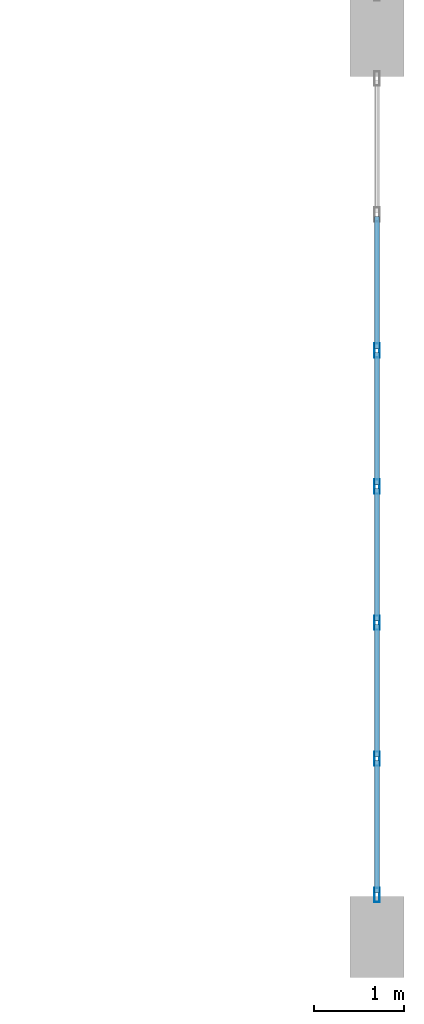
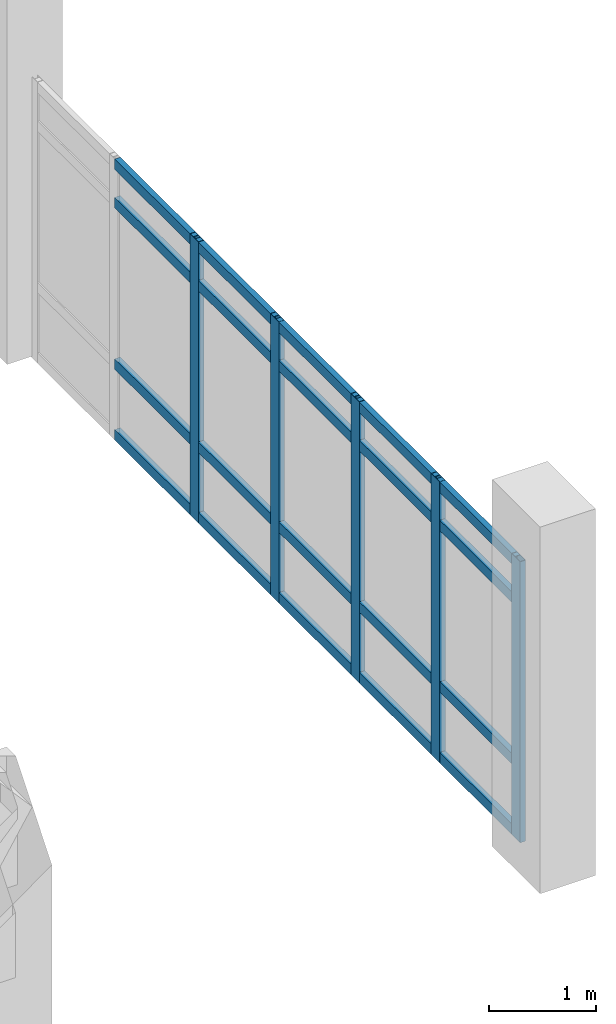
# One storey, part 70 of 111: 25 members, 1 element without a shape of its own.
"""IFC4 building model written with IfcOpenShell, lengths in metres."""

from ifc_helpers import new_model, si_unit, direction, frame, origin, origin_2d, place, context, subcontext, project, spatial, hollow_rectangle, extrude, material, layer, layer_set, material_profile, profile_set, type_object, element, aggregate, save


model = new_model("IFC4")

# Units and contexts
model_context = context("Model", 3, precision=1e-05, world=origin(), true_north=direction((0.0, 1.0)))
body_context = subcontext(model_context, "Body", "Model", "MODEL_VIEW")
ifc_project = project(units=[si_unit("LENGTHUNIT", "METRE"), si_unit("AREAUNIT", "SQUARE_METRE"), si_unit("VOLUMEUNIT", "CUBIC_METRE"), si_unit("PLANEANGLEUNIT", "RADIAN"), si_unit("MASSUNIT", "GRAM", prefix="KILO")], contexts=[model_context])

# Site, building, storey
site_placement = place(None, origin())
site = spatial("IfcSite", under=ifc_project, at=site_placement, CompositionType="ELEMENT")
building_placement = place(site_placement, origin())
building = spatial("IfcBuilding", under=site, at=building_placement, Name="Mersad Railyard Sports Hall", CompositionType="ELEMENT")
storey_placement = place(building_placement, frame((0.0, 0.0, 9.0)))
storey = spatial("IfcBuildingStorey", under=building, at=storey_placement, Name="L02", CompositionType="ELEMENT", Elevation=9.0)

# Curtain wall, members
ifc_material = material(Name="Aluminium 6063-T6", Category="aluminium")
ifc_layer = layer(ifc_material, 0.159912109375)
ifc_layer_set = layer_set([ifc_layer], Name="Aluminium 6063-T6")
curtain_wall_type = type_object("IfcCurtainWallType", Name="ARC-CW-CW15", PredefinedType="USERDEFINED", material=ifc_layer_set)
curtain_wall_placement = place(storey_placement, origin())
curtain_wall = element("IfcCurtainWall", 1, at=curtain_wall_placement, inside=storey, type_object=curtain_wall_type, Name="Curtain wall CW15-0045", ObjectType="CURTAIN WALL", PredefinedType="USERDEFINED")
ifc_material_profile_1 = material_profile(ifc_material, hollow_rectangle(XDim=0.06005859375, YDim=0.159912109375, WallThickness=0.00390625, at=origin_2d()), Name="AL MULLION 60x160x4")
ifc_profile_set_1 = profile_set([ifc_material_profile_1], Name="Aluminium 6063-T6")
member_type_1 = type_object("IfcMemberType", Name="ARC-CW-MUL01", PredefinedType="MULLION", material=ifc_profile_set_1)
member_1_placement = place(storey_placement, frame((179.0, 10.010009765625, -0.02001953125), z_axis=(0.0, 0.0, 1.0), x_axis=(1.0, 0.0, 0.0)))
member_1 = element("IfcMember", 2, at=member_1_placement, type_object=member_type_1, Name="CW15 Mullion 3", PredefinedType="MULLION", context=body_context, shape_type="SweptSolid", body=[
    extrude(hollow_rectangle(XDim=0.06005859375, YDim=0.159912109375, WallThickness=0.00390625, at=origin_2d()), origin(), (0.0, 0.0, 1.0), 3.219970703125),
])
member_2_placement = place(storey_placement, frame((179.0, 8.5, -0.02001953125), z_axis=(0.0, 0.0, 1.0), x_axis=(1.0, 0.0, 0.0)))
member_2 = element("IfcMember", 3, at=member_2_placement, type_object=member_type_1, Name="CW15 Mullion 4", PredefinedType="MULLION", context=body_context, shape_type="SweptSolid", body=[
    extrude(hollow_rectangle(XDim=0.06005859375, YDim=0.159912109375, WallThickness=0.00390625, at=origin_2d()), origin(), (0.0, 0.0, 1.0), 3.219970703125),
])
member_3_placement = place(storey_placement, frame((179.0, 6.989990234375, -0.02001953125), z_axis=(0.0, 0.0, 1.0), x_axis=(1.0, 0.0, 0.0)))
member_3 = element("IfcMember", 4, at=member_3_placement, type_object=member_type_1, Name="CW15 Mullion 5", PredefinedType="MULLION", context=body_context, shape_type="SweptSolid", body=[
    extrude(hollow_rectangle(XDim=0.06005859375, YDim=0.159912109375, WallThickness=0.00390625, at=origin_2d()), origin(), (0.0, 0.0, 1.0), 3.219970703125),
])
member_4_placement = place(storey_placement, frame((179.0, 5.47998046875, -0.02001953125), z_axis=(0.0, 0.0, 1.0), x_axis=(1.0, 0.0, 0.0)))
member_4 = element("IfcMember", 5, at=member_4_placement, type_object=member_type_1, Name="CW15 Mullion 6", PredefinedType="MULLION", context=body_context, shape_type="SweptSolid", body=[
    extrude(hollow_rectangle(XDim=0.06005859375, YDim=0.159912109375, WallThickness=0.00390625, at=origin_2d()), origin(), (0.0, 0.0, 1.0), 3.219970703125),
])
member_5_placement = place(storey_placement, frame((179.0, 3.969970703125, -0.02001953125), z_axis=(0.0, 0.0, 1.0), x_axis=(1.0, 0.0, 0.0)))
member_5 = element("IfcMember", 6, at=member_5_placement, type_object=member_type_1, Name="CW15 Mullion 7", PredefinedType="MULLION", context=body_context, shape_type="SweptSolid", body=[
    extrude(hollow_rectangle(XDim=0.06005859375, YDim=0.159912109375, WallThickness=0.00390625, at=origin_2d()), origin(), (0.0, 0.0, 1.0), 3.219970703125),
])
ifc_material_profile_2 = material_profile(ifc_material, hollow_rectangle(XDim=0.06005859375, YDim=0.1201171875, WallThickness=0.00390625, at=origin_2d()), Name="AL TRANSOM 60x120x4")
ifc_profile_set_2 = profile_set([ifc_material_profile_2], Name="Aluminium 6063-T6")
member_type_2 = type_object("IfcMemberType", Name="ARC-CW-TRN01", PredefinedType="USERDEFINED", material=ifc_profile_set_2)
member_6_placement = place(storey_placement, frame((179.0, 11.5, 0.0400390625), z_axis=(0.0, -1.0, 0.0), x_axis=(1.0, 0.0, 0.0)))
member_6 = element("IfcMember", 7, at=member_6_placement, type_object=member_type_2, Name="CW15 Transom 1-2", ObjectType="TRANSOM", PredefinedType="USERDEFINED", context=body_context, shape_type="SweptSolid", body=[
    extrude(hollow_rectangle(XDim=0.06005859375, YDim=0.1201171875, WallThickness=0.00390625, at=origin_2d()), origin(), (0.0, 0.0, 1.0), 1.469970703125),
])
member_7_placement = place(storey_placement, frame((179.0, 9.989990234375, 0.0400390625), z_axis=(0.0, -1.0, 0.0), x_axis=(1.0, 0.0, 0.0)))
member_7 = element("IfcMember", 8, at=member_7_placement, type_object=member_type_2, Name="CW15 Transom 1-3", ObjectType="TRANSOM", PredefinedType="USERDEFINED", context=body_context, shape_type="SweptSolid", body=[
    extrude(hollow_rectangle(XDim=0.06005859375, YDim=0.1201171875, WallThickness=0.00390625, at=origin_2d()), origin(), (0.0, 0.0, 1.0), 1.469970703125),
])
member_8_placement = place(storey_placement, frame((179.0, 8.47998046875, 0.0400390625), z_axis=(0.0, -1.0, 0.0), x_axis=(1.0, 0.0, 0.0)))
member_8 = element("IfcMember", 9, at=member_8_placement, type_object=member_type_2, Name="CW15 Transom 1-4", ObjectType="TRANSOM", PredefinedType="USERDEFINED", context=body_context, shape_type="SweptSolid", body=[
    extrude(hollow_rectangle(XDim=0.06005859375, YDim=0.1201171875, WallThickness=0.00390625, at=origin_2d()), origin(), (0.0, 0.0, 1.0), 1.469970703125),
])
member_9_placement = place(storey_placement, frame((179.0, 6.969970703125, 0.0400390625), z_axis=(0.0, -1.0, 0.0), x_axis=(1.0, 0.0, 0.0)))
member_9 = element("IfcMember", 10, at=member_9_placement, type_object=member_type_2, Name="CW15 Transom 1-5", ObjectType="TRANSOM", PredefinedType="USERDEFINED", context=body_context, shape_type="SweptSolid", body=[
    extrude(hollow_rectangle(XDim=0.06005859375, YDim=0.1201171875, WallThickness=0.00390625, at=origin_2d()), origin(), (0.0, 0.0, 1.0), 1.469970703125),
])
member_10_placement = place(storey_placement, frame((179.0, 5.4599609375, 0.0400390625), z_axis=(0.0, -1.0, 0.0), x_axis=(1.0, 0.0, 0.0)))
member_10 = element("IfcMember", 11, at=member_10_placement, type_object=member_type_2, Name="CW15 Transom 1-6", ObjectType="TRANSOM", PredefinedType="USERDEFINED", context=body_context, shape_type="SweptSolid", body=[
    extrude(hollow_rectangle(XDim=0.06005859375, YDim=0.1201171875, WallThickness=0.00390625, at=origin_2d()), origin(), (0.0, 0.0, 1.0), 1.469970703125),
])
member_11_placement = place(storey_placement, frame((179.0, 11.5, 0.85009765625), z_axis=(0.0, -1.0, 0.0), x_axis=(1.0, 0.0, 0.0)))
member_11 = element("IfcMember", 12, at=member_11_placement, type_object=member_type_2, Name="CW15 Transom 2-2", ObjectType="TRANSOM", PredefinedType="USERDEFINED", context=body_context, shape_type="SweptSolid", body=[
    extrude(hollow_rectangle(XDim=0.06005859375, YDim=0.1201171875, WallThickness=0.00390625, at=origin_2d()), origin(), (0.0, 0.0, 1.0), 1.469970703125),
])
member_12_placement = place(storey_placement, frame((179.0, 9.989990234375, 0.85009765625), z_axis=(0.0, -1.0, 0.0), x_axis=(1.0, 0.0, 0.0)))
member_12 = element("IfcMember", 13, at=member_12_placement, type_object=member_type_2, Name="CW15 Transom 2-3", ObjectType="TRANSOM", PredefinedType="USERDEFINED", context=body_context, shape_type="SweptSolid", body=[
    extrude(hollow_rectangle(XDim=0.06005859375, YDim=0.1201171875, WallThickness=0.00390625, at=origin_2d()), origin(), (0.0, 0.0, 1.0), 1.469970703125),
])
member_13_placement = place(storey_placement, frame((179.0, 8.47998046875, 0.85009765625), z_axis=(0.0, -1.0, 0.0), x_axis=(1.0, 0.0, 0.0)))
member_13 = element("IfcMember", 14, at=member_13_placement, type_object=member_type_2, Name="CW15 Transom 2-4", ObjectType="TRANSOM", PredefinedType="USERDEFINED", context=body_context, shape_type="SweptSolid", body=[
    extrude(hollow_rectangle(XDim=0.06005859375, YDim=0.1201171875, WallThickness=0.00390625, at=origin_2d()), origin(), (0.0, 0.0, 1.0), 1.469970703125),
])
member_14_placement = place(storey_placement, frame((179.0, 6.969970703125, 0.85009765625), z_axis=(0.0, -1.0, 0.0), x_axis=(1.0, 0.0, 0.0)))
member_14 = element("IfcMember", 15, at=member_14_placement, type_object=member_type_2, Name="CW15 Transom 2-5", ObjectType="TRANSOM", PredefinedType="USERDEFINED", context=body_context, shape_type="SweptSolid", body=[
    extrude(hollow_rectangle(XDim=0.06005859375, YDim=0.1201171875, WallThickness=0.00390625, at=origin_2d()), origin(), (0.0, 0.0, 1.0), 1.469970703125),
])
member_15_placement = place(storey_placement, frame((179.0, 5.4599609375, 0.85009765625), z_axis=(0.0, -1.0, 0.0), x_axis=(1.0, 0.0, 0.0)))
member_15 = element("IfcMember", 16, at=member_15_placement, type_object=member_type_2, Name="CW15 Transom 2-6", ObjectType="TRANSOM", PredefinedType="USERDEFINED", context=body_context, shape_type="SweptSolid", body=[
    extrude(hollow_rectangle(XDim=0.06005859375, YDim=0.1201171875, WallThickness=0.00390625, at=origin_2d()), origin(), (0.0, 0.0, 1.0), 1.469970703125),
])
member_16_placement = place(storey_placement, frame((179.0, 11.5, 2.699951171875), z_axis=(0.0, -1.0, 0.0), x_axis=(1.0, 0.0, 0.0)))
member_16 = element("IfcMember", 17, at=member_16_placement, type_object=member_type_2, Name="CW15 Transom 3-2", ObjectType="TRANSOM", PredefinedType="USERDEFINED", context=body_context, shape_type="SweptSolid", body=[
    extrude(hollow_rectangle(XDim=0.06005859375, YDim=0.1201171875, WallThickness=0.00390625, at=origin_2d()), origin(), (0.0, 0.0, 1.0), 1.469970703125),
])
member_17_placement = place(storey_placement, frame((179.0, 9.989990234375, 2.699951171875), z_axis=(0.0, -1.0, 0.0), x_axis=(1.0, 0.0, 0.0)))
member_17 = element("IfcMember", 18, at=member_17_placement, type_object=member_type_2, Name="CW15 Transom 3-3", ObjectType="TRANSOM", PredefinedType="USERDEFINED", context=body_context, shape_type="SweptSolid", body=[
    extrude(hollow_rectangle(XDim=0.06005859375, YDim=0.1201171875, WallThickness=0.00390625, at=origin_2d()), origin(), (0.0, 0.0, 1.0), 1.469970703125),
])
member_18_placement = place(storey_placement, frame((179.0, 8.47998046875, 2.699951171875), z_axis=(0.0, -1.0, 0.0), x_axis=(1.0, 0.0, 0.0)))
member_18 = element("IfcMember", 19, at=member_18_placement, type_object=member_type_2, Name="CW15 Transom 3-4", ObjectType="TRANSOM", PredefinedType="USERDEFINED", context=body_context, shape_type="SweptSolid", body=[
    extrude(hollow_rectangle(XDim=0.06005859375, YDim=0.1201171875, WallThickness=0.00390625, at=origin_2d()), origin(), (0.0, 0.0, 1.0), 1.469970703125),
])
member_19_placement = place(storey_placement, frame((179.0, 6.969970703125, 2.699951171875), z_axis=(0.0, -1.0, 0.0), x_axis=(1.0, 0.0, 0.0)))
member_19 = element("IfcMember", 20, at=member_19_placement, type_object=member_type_2, Name="CW15 Transom 3-5", ObjectType="TRANSOM", PredefinedType="USERDEFINED", context=body_context, shape_type="SweptSolid", body=[
    extrude(hollow_rectangle(XDim=0.06005859375, YDim=0.1201171875, WallThickness=0.00390625, at=origin_2d()), origin(), (0.0, 0.0, 1.0), 1.469970703125),
])
member_20_placement = place(storey_placement, frame((179.0, 5.4599609375, 2.699951171875), z_axis=(0.0, -1.0, 0.0), x_axis=(1.0, 0.0, 0.0)))
member_20 = element("IfcMember", 21, at=member_20_placement, type_object=member_type_2, Name="CW15 Transom 3-6", ObjectType="TRANSOM", PredefinedType="USERDEFINED", context=body_context, shape_type="SweptSolid", body=[
    extrude(hollow_rectangle(XDim=0.06005859375, YDim=0.1201171875, WallThickness=0.00390625, at=origin_2d()), origin(), (0.0, 0.0, 1.0), 1.469970703125),
])
member_21_placement = place(storey_placement, frame((179.0, 11.5, 3.139892578125), z_axis=(0.0, -1.0, 0.0), x_axis=(1.0, 0.0, 0.0)))
member_21 = element("IfcMember", 22, at=member_21_placement, type_object=member_type_2, Name="CW15 Transom 4-2", ObjectType="TRANSOM", PredefinedType="USERDEFINED", context=body_context, shape_type="SweptSolid", body=[
    extrude(hollow_rectangle(XDim=0.06005859375, YDim=0.1201171875, WallThickness=0.00390625, at=origin_2d()), origin(), (0.0, 0.0, 1.0), 1.469970703125),
])
member_22_placement = place(storey_placement, frame((179.0, 9.989990234375, 3.139892578125), z_axis=(0.0, -1.0, 0.0), x_axis=(1.0, 0.0, 0.0)))
member_22 = element("IfcMember", 23, at=member_22_placement, type_object=member_type_2, Name="CW15 Transom 4-3", ObjectType="TRANSOM", PredefinedType="USERDEFINED", context=body_context, shape_type="SweptSolid", body=[
    extrude(hollow_rectangle(XDim=0.06005859375, YDim=0.1201171875, WallThickness=0.00390625, at=origin_2d()), origin(), (0.0, 0.0, 1.0), 1.469970703125),
])
member_23_placement = place(storey_placement, frame((179.0, 8.47998046875, 3.139892578125), z_axis=(0.0, -1.0, 0.0), x_axis=(1.0, 0.0, 0.0)))
member_23 = element("IfcMember", 24, at=member_23_placement, type_object=member_type_2, Name="CW15 Transom 4-4", ObjectType="TRANSOM", PredefinedType="USERDEFINED", context=body_context, shape_type="SweptSolid", body=[
    extrude(hollow_rectangle(XDim=0.06005859375, YDim=0.1201171875, WallThickness=0.00390625, at=origin_2d()), origin(), (0.0, 0.0, 1.0), 1.469970703125),
])
member_24_placement = place(storey_placement, frame((179.0, 6.969970703125, 3.139892578125), z_axis=(0.0, -1.0, 0.0), x_axis=(1.0, 0.0, 0.0)))
member_24 = element("IfcMember", 25, at=member_24_placement, type_object=member_type_2, Name="CW15 Transom 4-5", ObjectType="TRANSOM", PredefinedType="USERDEFINED", context=body_context, shape_type="SweptSolid", body=[
    extrude(hollow_rectangle(XDim=0.06005859375, YDim=0.1201171875, WallThickness=0.00390625, at=origin_2d()), origin(), (0.0, 0.0, 1.0), 1.469970703125),
])
member_25_placement = place(storey_placement, frame((179.0, 5.4599609375, 3.139892578125), z_axis=(0.0, -1.0, 0.0), x_axis=(1.0, 0.0, 0.0)))
member_25 = element("IfcMember", 26, at=member_25_placement, type_object=member_type_2, Name="CW15 Transom 4-6", ObjectType="TRANSOM", PredefinedType="USERDEFINED", context=body_context, shape_type="SweptSolid", body=[
    extrude(hollow_rectangle(XDim=0.06005859375, YDim=0.1201171875, WallThickness=0.00390625, at=origin_2d()), origin(), (0.0, 0.0, 1.0), 1.469970703125),
])
aggregate(curtain_wall, [member_1, member_2, member_3, member_4, member_5, member_6, member_7, member_8, member_9, member_10, member_11, member_12, member_13, member_14, member_15, member_16, member_17, member_18, member_19, member_20, member_21, member_22, member_23, member_24, member_25])

save(model, "model.ifc")
